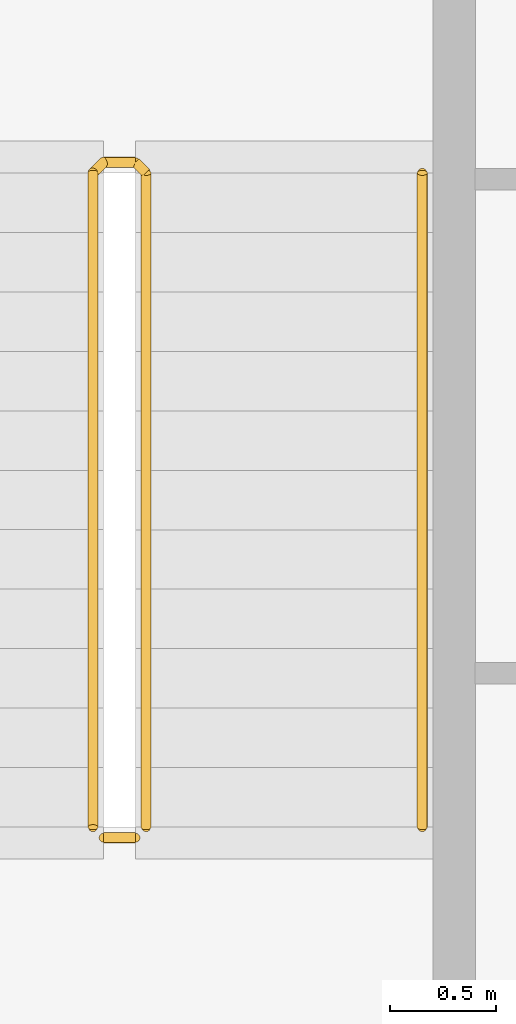
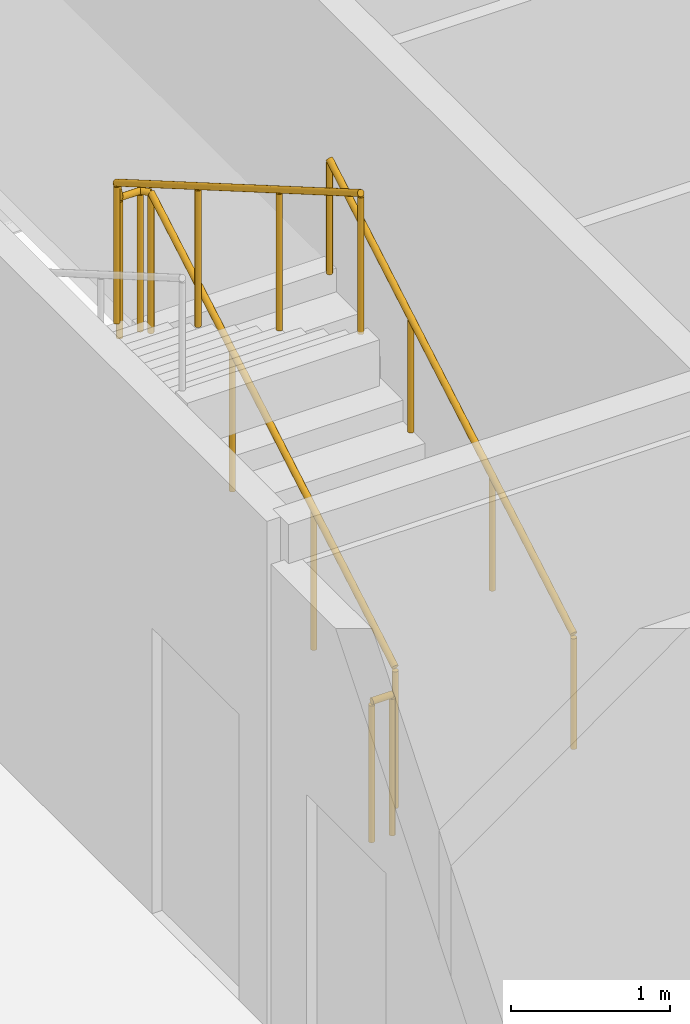
# One storey, part 26 of 27: 3 railings.
"""IFC4 building model written with IfcOpenShell, lengths in metres."""

from ifc_helpers import new_model, si_unit, direction, frame, origin, origin_2d, place, context, subcontext, project, spatial, circle, extrude, material, type_object, element, save


model = new_model("IFC4")

# Units and contexts
model_context = context("Model", 3, precision=1e-05, world=origin(), true_north=direction((0.0, 1.0)))
body_context = subcontext(model_context, "Body", "Model", "MODEL_VIEW")
ifc_project = project(units=[si_unit("LENGTHUNIT", "METRE"), si_unit("AREAUNIT", "SQUARE_METRE"), si_unit("VOLUMEUNIT", "CUBIC_METRE"), si_unit("PLANEANGLEUNIT", "RADIAN"), si_unit("MASSUNIT", "GRAM", prefix="KILO")], contexts=[model_context])

# Site, building, storey
site_placement = place(None, origin())
site = spatial("IfcSite", under=ifc_project, at=site_placement, CompositionType="ELEMENT")
building_placement = place(site_placement, origin())
building = spatial("IfcBuilding", under=site, at=building_placement, Name="Kheshtan School and Residences Tower", CompositionType="ELEMENT")
storey_placement = place(building_placement, frame((0.0, 0.0, 50.0)))
storey = spatial("IfcBuildingStorey", under=building, at=storey_placement, Name="L11", CompositionType="ELEMENT", Elevation=50.0)

# Railings
ifc_material_1 = material(Name="Stainless steel balustrade", Category="steel")
railing_type_1 = type_object("IfcRailingType", Name="Stair guard 1100", PredefinedType="GUARDRAIL", material=ifc_material_1)
railing_1_placement = place(storey_placement, frame((35.0, 80.89990234375, 0.16259765625)))
element("IfcRailing", 1, at=railing_1_placement, inside=storey, type_object=railing_type_1, Name="L11 ST3 stair guard 1", PredefinedType="GUARDRAIL", context=body_context, shape_type="SweptSolid", body=[
    extrude(circle(Radius=0.02392578125, at=origin_2d()), frame((0.0, 0.0, 1.076171875), z_axis=(0.0, 0.864920483161, 0.501908913857), x_axis=(-1.0, 0.0, 0.0)), (0.0, 0.0, 1.0), 3.56103515625),
    extrude(circle(Radius=0.02392578125, at=origin_2d()), frame((0.0, 3.080078125, 2.86328125), z_axis=(-0.707106781187, 0.707106781187, 0.0), x_axis=(-0.707106781187, -0.707106781187, 0.0)), (0.0, 0.0, 1.0), 0.07080078125),
    extrude(circle(Radius=0.02392578125, at=origin_2d()), frame((-0.050048828125, 3.130126953125, 2.86328125), z_axis=(-1.0, 0.0, 0.0), x_axis=(0.0, -1.0, 0.0)), (0.0, 0.0, 1.0), 0.14990234375),
    extrude(circle(Radius=0.02392578125, at=origin_2d()), frame((-0.199951171875, 3.130126953125, 2.86328125), z_axis=(-0.282227285176, -0.282227285176, 0.916894497205), x_axis=(0.707106781187, -0.707106781187, 0.0)), (0.0, 0.0, 1.0), 0.17724609375),
    extrude(circle(Radius=0.02392578125, at=origin_2d()), frame((-0.25, 3.080078125, 3.02587890625), z_axis=(0.0, -0.864920483161, 0.501908913857), x_axis=(1.0, 0.0, 0.0)), (0.0, 0.0, 1.0), 3.56103515625),
    extrude(circle(Radius=0.02099609375, at=origin_2d()), origin(), (0.0, 0.0, 1.0), 1.052001953125),
    extrude(circle(Radius=0.02099609375, at=origin_2d()), frame((0.0, 1.026611328125, 0.595703125)), (0.0, 0.0, 1.0), 1.052001953125),
    extrude(circle(Radius=0.02099609375, at=origin_2d()), frame((0.0, 2.053466796875, 1.191650390625)), (0.0, 0.0, 1.0), 1.052001953125),
    extrude(circle(Radius=0.02099609375, at=origin_2d()), frame((0.0, 3.080078125, 1.787353515625)), (0.0, 0.0, 1.0), 1.052001953125),
    extrude(circle(Radius=0.02099609375, at=origin_2d()), frame((-0.050048828125, 3.130126953125, 1.787353515625)), (0.0, 0.0, 1.0), 1.052001953125),
    extrude(circle(Radius=0.02099609375, at=origin_2d()), frame((-0.199951171875, 3.130126953125, 1.787353515625)), (0.0, 0.0, 1.0), 1.052001953125),
    extrude(circle(Radius=0.02099609375, at=origin_2d()), frame((-0.25, 3.080078125, 1.949951171875)), (0.0, 0.0, 1.0), 1.052001953125),
    extrude(circle(Radius=0.02099609375, at=origin_2d()), frame((-0.25, 2.053466796875, 2.545654296875)), (0.0, 0.0, 1.0), 1.052001953125),
    extrude(circle(Radius=0.02099609375, at=origin_2d()), frame((-0.25, 1.026611328125, 3.1416015625)), (0.0, 0.0, 1.0), 1.052001953125),
    extrude(circle(Radius=0.02099609375, at=origin_2d()), frame((-0.25, 0.0, 3.7373046875)), (0.0, 0.0, 1.0), 1.052001953125),
])
railing_2_placement = place(storey_placement, frame((34.949951171875, 80.85009765625, 0.0)))
element("IfcRailing", 2, at=railing_2_placement, inside=storey, type_object=railing_type_1, Name="L11 ST3 stair guard 2", PredefinedType="GUARDRAIL", context=body_context, shape_type="SweptSolid", body=[
    extrude(circle(Radius=0.02392578125, at=origin_2d()), frame((0.0, 0.0, 1.076171875), z_axis=(-1.0, 0.0, 0.0), x_axis=(0.0, -1.0, 0.0)), (0.0, 0.0, 1.0), 0.14990234375),
    extrude(circle(Radius=0.02099609375, at=origin_2d()), origin(), (0.0, 0.0, 1.0), 1.052001953125),
    extrude(circle(Radius=0.02099609375, at=origin_2d()), frame((-0.14990234375, 0.0, 0.0)), (0.0, 0.0, 1.0), 1.052001953125),
])
ifc_material_2 = material(Name="Stainless steel handrail", Category="steel")
railing_type_2 = type_object("IfcRailingType", Name="Stair handrail 900", PredefinedType="HANDRAIL", material=ifc_material_2)
railing_3_placement = place(storey_placement, frame((36.300048828125, 80.89990234375, 0.16259765625)))
element("IfcRailing", 3, at=railing_3_placement, inside=storey, type_object=railing_type_2, Name="L11 ST3 stair handrail 1", PredefinedType="HANDRAIL", context=body_context, shape_type="SweptSolid", body=[
    extrude(circle(Radius=0.02392578125, at=origin_2d()), frame((0.0, 0.0, 0.8759765625), z_axis=(0.0, 0.864920483161, 0.501908913857), x_axis=(-1.0, 0.0, 0.0)), (0.0, 0.0, 1.0), 3.56103515625),
    extrude(circle(Radius=0.02099609375, at=origin_2d()), origin(), (0.0, 0.0, 1.0), 0.851806640625),
    extrude(circle(Radius=0.02099609375, at=origin_2d()), frame((0.0, 1.026611328125, 0.595703125)), (0.0, 0.0, 1.0), 0.851806640625),
    extrude(circle(Radius=0.02099609375, at=origin_2d()), frame((0.0, 2.053466796875, 1.191650390625)), (0.0, 0.0, 1.0), 0.851806640625),
    extrude(circle(Radius=0.02099609375, at=origin_2d()), frame((0.0, 3.080078125, 1.787353515625)), (0.0, 0.0, 1.0), 0.851806640625),
])

save(model, "model.ifc")
